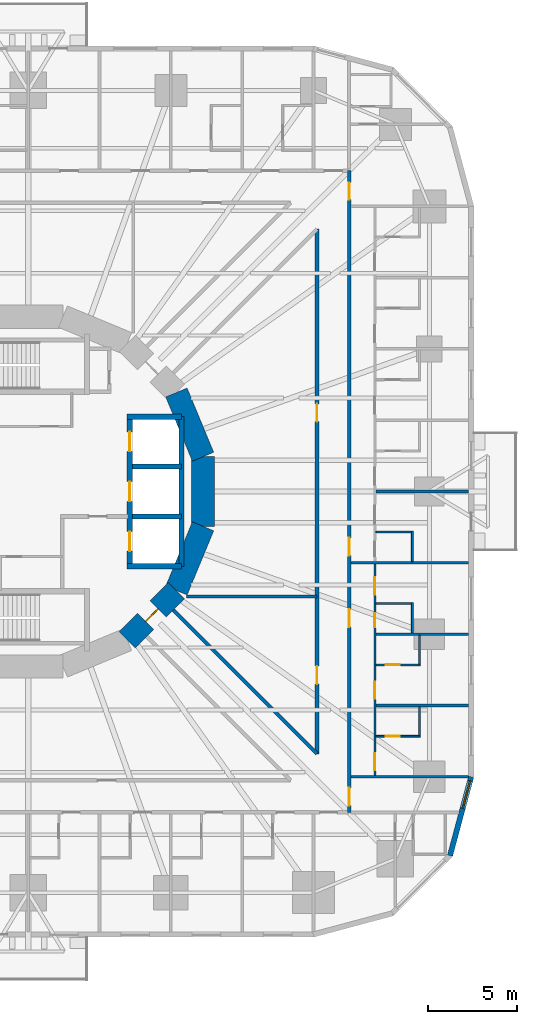
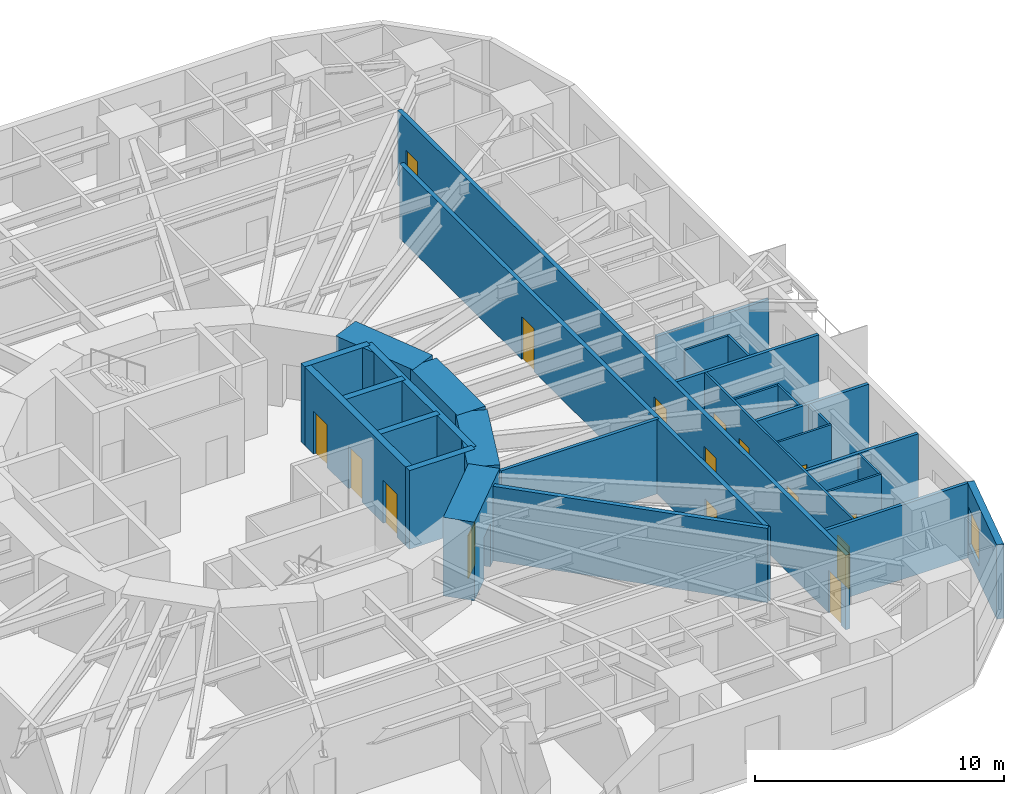
# One storey, part 8 of 14: 29 walls, 16 doors, 1 window, 17 openings.
"""IFC4 building model written with IfcOpenShell, lengths in metres."""

from ifc_helpers import new_model, si_unit, direction, frame, frame_2d, origin, place, context, subcontext, project, spatial, rectangle, extrude, material, layer, layer_set, type_object, element, fill, save


model = new_model("IFC4")

# Units and contexts
model_context = context("Model", 3, precision=1e-05, world=origin(), true_north=direction((0.0, 1.0)))
body_context = subcontext(model_context, "Body", "Model", "MODEL_VIEW")
ifc_project = project(units=[si_unit("LENGTHUNIT", "METRE"), si_unit("AREAUNIT", "SQUARE_METRE"), si_unit("VOLUMEUNIT", "CUBIC_METRE"), si_unit("PLANEANGLEUNIT", "RADIAN"), si_unit("MASSUNIT", "GRAM", prefix="KILO")], contexts=[model_context])

# Site, building, storey
site_placement = place(None, origin())
site = spatial("IfcSite", under=ifc_project, at=site_placement, CompositionType="ELEMENT")
building_placement = place(site_placement, origin())
building = spatial("IfcBuilding", under=site, at=building_placement, Name="Nakasero Lantern House", CompositionType="ELEMENT")
storey_placement = place(building_placement, frame((0.0, 0.0, 46.800048828125)))
storey = spatial("IfcBuildingStorey", under=building, at=storey_placement, Name="L11", CompositionType="ELEMENT", Elevation=46.800048828125)

# Wall, openings, doors
ifc_material_1 = material(Name="Blockwork", Category="masonry")
ifc_layer_1 = layer(ifc_material_1, 0.10009765625)
ifc_layer_set_1 = layer_set([ifc_layer_1], Name="Cluster hall wall 100")
wall_type_1 = type_object("IfcWallType", Name="Cluster hall wall 100", PredefinedType="PARTITIONING", material=ifc_layer_set_1)
wall_1_placement = place(storey_placement, frame((19.449951171875, -15.925048828125, 0.0), z_axis=(0.0, 0.0, 1.0), x_axis=(0.0, 1.0, 0.0)))
wall_1 = element("IfcWall", 1, at=wall_1_placement, inside=storey, type_object=wall_type_1, Name="Cluster hall wall L11 HW0-0", PredefinedType="PARTITIONING", context=body_context, shape_type="SweptSolid", body=[
    extrude(rectangle(XDim=11.85009765625, YDim=0.10009765625, at=frame_2d((5.925048828125, 0.0))), origin(), (0.0, 0.0, 1.0), 3.64990234375),
])
opening_1_placement = place(wall_1_placement, frame((10.125, 0.0, 0.0)))
opening_1 = element("IfcOpeningElement", 2, at=opening_1_placement, cuts=wall_1, Name="Opening D03", PredefinedType="OPENING", context=body_context, shape_type="SweptSolid", body=[
    extrude(rectangle(XDim=1.0, YDim=2.10009765625, at=frame_2d((0.5, 1.050048828125))), frame((0.0, 0.070068359375, 0.0), z_axis=(0.0, -1.0, 0.0), x_axis=(1.0, 0.0, 0.0)), (0.0, 0.0, 1.0), 0.14013671875),
])
opening_2_placement = place(wall_1_placement, frame((8.300048828125, 0.0, 0.0)))
opening_2 = element("IfcOpeningElement", 3, at=opening_2_placement, cuts=wall_1, Name="Opening D02", PredefinedType="OPENING", context=body_context, shape_type="SweptSolid", body=[
    extrude(rectangle(XDim=0.800048828125, YDim=2.10009765625, at=frame_2d((0.39990234375, 1.050048828125))), frame((0.0, 0.070068359375, 0.0), z_axis=(0.0, -1.0, 0.0), x_axis=(1.0, 0.0, 0.0)), (0.0, 0.0, 1.0), 0.14013671875),
])
opening_3_placement = place(wall_1_placement, frame((0.300048828125, 0.0, 0.0)))
opening_3 = element("IfcOpeningElement", 4, at=opening_3_placement, cuts=wall_1, Name="Opening D01", PredefinedType="OPENING", context=body_context, shape_type="SweptSolid", body=[
    extrude(rectangle(XDim=0.949951171875, YDim=2.10009765625, at=frame_2d((0.47509765625, 1.050048828125))), frame((0.0, 0.070068359375, 0.0), z_axis=(0.0, -1.0, 0.0), x_axis=(1.0, 0.0, 0.0)), (0.0, 0.0, 1.0), 0.14013671875),
])
opening_4_placement = place(wall_1_placement, frame((4.300048828125, 0.0, 0.0)))
opening_4 = element("IfcOpeningElement", 5, at=opening_4_placement, cuts=wall_1, Name="Opening D01", PredefinedType="OPENING", context=body_context, shape_type="SweptSolid", body=[
    extrude(rectangle(XDim=0.949951171875, YDim=2.10009765625, at=frame_2d((0.47509765625, 1.050048828125))), frame((0.0, 0.070068359375, 0.0), z_axis=(0.0, -1.0, 0.0), x_axis=(1.0, 0.0, 0.0)), (0.0, 0.0, 1.0), 0.14013671875),
])
ifc_material_2 = material(Name="Timber C24", Category="wood")
door_type_1 = type_object("IfcDoorType", Name="Bedroom door FD30S 950", OperationType="SINGLE_SWING_LEFT", PredefinedType="DOOR", material=ifc_material_2)
door_1_placement = place(opening_3_placement, origin())
door_1 = element("IfcDoor", 6, at=door_1_placement, inside=storey, type_object=door_type_1, Name="Door L11 D0-01", OperationType="SINGLE_SWING_LEFT", OverallHeight=2.10009765625, OverallWidth=0.949951171875, PredefinedType="DOOR", context=body_context, shape_type="SweptSolid", body=[
    extrude(rectangle(XDim=0.949951171875, YDim=2.10009765625, at=frame_2d((0.47509765625, 1.050048828125))), frame((0.0, 0.02490234375, 0.0), z_axis=(0.0, -1.0, 0.0), x_axis=(1.0, 0.0, 0.0)), (0.0, 0.0, 1.0), 0.050048828125),
])
fill(opening_3, door_1)
door_2_placement = place(opening_4_placement, origin())
door_2 = element("IfcDoor", 7, at=door_2_placement, inside=storey, type_object=door_type_1, Name="Door L11 D0-02", OperationType="SINGLE_SWING_LEFT", OverallHeight=2.10009765625, OverallWidth=0.949951171875, PredefinedType="DOOR", context=body_context, shape_type="SweptSolid", body=[
    extrude(rectangle(XDim=0.949951171875, YDim=2.10009765625, at=frame_2d((0.47509765625, 1.050048828125))), frame((0.0, 0.02490234375, 0.0), z_axis=(0.0, -1.0, 0.0), x_axis=(1.0, 0.0, 0.0)), (0.0, 0.0, 1.0), 0.050048828125),
])
fill(opening_4, door_2)
ifc_material_3 = material(Name="Timber C24", Category="wood")
door_type_2 = type_object("IfcDoorType", Name="En-suite door 800", OperationType="SINGLE_SWING_RIGHT", PredefinedType="DOOR", material=ifc_material_3)
door_3_placement = place(opening_2_placement, origin())
door_3 = element("IfcDoor", 8, at=door_3_placement, inside=storey, type_object=door_type_2, Name="Door L11 DSH0-0", OperationType="SINGLE_SWING_RIGHT", OverallHeight=2.10009765625, OverallWidth=0.800048828125, PredefinedType="DOOR", context=body_context, shape_type="SweptSolid", body=[
    extrude(rectangle(XDim=0.800048828125, YDim=2.10009765625, at=frame_2d((0.39990234375, 1.050048828125))), frame((0.0, 0.02490234375, 0.0), z_axis=(0.0, -1.0, 0.0), x_axis=(1.0, 0.0, 0.0)), (0.0, 0.0, 1.0), 0.050048828125),
])
fill(opening_2, door_3)
ifc_material_4 = material(Name="Timber C24", Category="wood")
door_type_3 = type_object("IfcDoorType", Name="Lounge door FD30S 1000", OperationType="SINGLE_SWING_LEFT", PredefinedType="DOOR", material=ifc_material_4)
door_4_placement = place(opening_1_placement, origin())
door_4 = element("IfcDoor", 9, at=door_4_placement, inside=storey, type_object=door_type_3, Name="Door L11 DH0-0", OperationType="SINGLE_SWING_RIGHT", OverallHeight=2.10009765625, OverallWidth=1.0, PredefinedType="DOOR", context=body_context, shape_type="SweptSolid", body=[
    extrude(rectangle(XDim=1.0, YDim=2.10009765625, at=frame_2d((0.5, 1.050048828125))), frame((0.0, 0.02490234375, 0.0), z_axis=(0.0, -1.0, 0.0), x_axis=(1.0, 0.0, 0.0)), (0.0, 0.0, 1.0), 0.050048828125),
])
fill(opening_1, door_4)

ifc_material_5 = material(Name="Concrete C50/60", Category="concrete")
ifc_layer_2 = layer(ifc_material_5, 0.300048828125)
ifc_layer_set_2 = layer_set([ifc_layer_2], Name="Core inner wall 300")
wall_type_2 = type_object("IfcWallType", Name="Core inner wall 300", PredefinedType="SHEAR", material=ifc_layer_set_2)
wall_2_placement = place(storey_placement, frame((5.699951171875, -4.199951171875, 0.0), z_axis=(0.0, 0.0, 1.0), x_axis=(0.0, 1.0, 0.0)))
wall_2 = element("IfcWall", 10, at=wall_2_placement, inside=storey, type_object=wall_type_2, Name="Core inner wall L11 LE", PredefinedType="SHEAR", context=body_context, shape_type="SweptSolid", body=[
    extrude(rectangle(XDim=8.39990234375, YDim=0.300048828125, at=frame_2d((4.199951171875, 0.0))), origin(), (0.0, 0.0, 1.0), 3.849853515625),
])
opening_5_placement = place(wall_2_placement, frame((0.85009765625, 0.0, 0.0)))
opening_5 = element("IfcOpeningElement", 11, at=opening_5_placement, cuts=wall_2, Name="Opening LD", PredefinedType="OPENING", context=body_context, shape_type="SweptSolid", body=[
    extrude(rectangle(XDim=1.10009765625, YDim=2.10009765625, at=frame_2d((0.550048828125, 1.050048828125))), frame((0.0, 0.169921875, 0.0), z_axis=(0.0, -1.0, 0.0), x_axis=(1.0, 0.0, 0.0)), (0.0, 0.0, 1.0), 0.340087890625),
])
opening_6_placement = place(wall_2_placement, frame((3.64990234375, 0.0, 0.0)))
opening_6 = element("IfcOpeningElement", 12, at=opening_6_placement, cuts=wall_2, Name="Opening LD", PredefinedType="OPENING", context=body_context, shape_type="SweptSolid", body=[
    extrude(rectangle(XDim=1.10009765625, YDim=2.10009765625, at=frame_2d((0.550048828125, 1.050048828125))), frame((0.0, 0.169921875, 0.0), z_axis=(0.0, -1.0, 0.0), x_axis=(1.0, 0.0, 0.0)), (0.0, 0.0, 1.0), 0.340087890625),
])
opening_7_placement = place(wall_2_placement, frame((6.449951171875, 0.0, 0.0)))
opening_7 = element("IfcOpeningElement", 13, at=opening_7_placement, cuts=wall_2, Name="Opening LD", PredefinedType="OPENING", context=body_context, shape_type="SweptSolid", body=[
    extrude(rectangle(XDim=1.10009765625, YDim=2.10009765625, at=frame_2d((0.550048828125, 1.050048828125))), frame((0.0, 0.169921875, 0.0), z_axis=(0.0, -1.0, 0.0), x_axis=(1.0, 0.0, 0.0)), (0.0, 0.0, 1.0), 0.340087890625),
])
ifc_material_6 = material(Name="Steel S355", Category="steel")
door_type_4 = type_object("IfcDoorType", Name="Lift landing door E120 1100", OperationType="SLIDING_TO_LEFT", PredefinedType="DOOR", material=ifc_material_6)
door_5_placement = place(opening_5_placement, origin())
door_5 = element("IfcDoor", 14, at=door_5_placement, inside=storey, type_object=door_type_4, Name="Lift landing door LE1", OperationType="SLIDING_TO_LEFT", OverallHeight=2.10009765625, OverallWidth=1.10009765625, PredefinedType="DOOR", context=body_context, shape_type="SweptSolid", body=[
    extrude(rectangle(XDim=1.10009765625, YDim=2.10009765625, at=frame_2d((0.550048828125, 1.050048828125))), frame((0.0, 0.02490234375, 0.0), z_axis=(0.0, -1.0, 0.0), x_axis=(1.0, 0.0, 0.0)), (0.0, 0.0, 1.0), 0.050048828125),
])
fill(opening_5, door_5)
door_6_placement = place(opening_6_placement, origin())
door_6 = element("IfcDoor", 15, at=door_6_placement, inside=storey, type_object=door_type_4, Name="Lift landing door LE2", OperationType="SLIDING_TO_LEFT", OverallHeight=2.10009765625, OverallWidth=1.10009765625, PredefinedType="DOOR", context=body_context, shape_type="SweptSolid", body=[
    extrude(rectangle(XDim=1.10009765625, YDim=2.10009765625, at=frame_2d((0.550048828125, 1.050048828125))), frame((0.0, 0.02490234375, 0.0), z_axis=(0.0, -1.0, 0.0), x_axis=(1.0, 0.0, 0.0)), (0.0, 0.0, 1.0), 0.050048828125),
])
fill(opening_6, door_6)
door_7_placement = place(opening_7_placement, origin())
door_7 = element("IfcDoor", 16, at=door_7_placement, inside=storey, type_object=door_type_4, Name="Lift landing door LE3", OperationType="SLIDING_TO_LEFT", OverallHeight=2.10009765625, OverallWidth=1.10009765625, PredefinedType="DOOR", context=body_context, shape_type="SweptSolid", body=[
    extrude(rectangle(XDim=1.10009765625, YDim=2.10009765625, at=frame_2d((0.550048828125, 1.050048828125))), frame((0.0, 0.02490234375, 0.0), z_axis=(0.0, -1.0, 0.0), x_axis=(1.0, 0.0, 0.0)), (0.0, 0.0, 1.0), 0.050048828125),
])
fill(opening_7, door_7)

# Walls
for number, where, z_axis, x_axis, name in (
    (17, (5.550048828125, 4.199951171875, 0.0), (0.0, 0.0, 1.0), (1.0, 0.0, 0.0), "Core inner wall L11 LEN"),
    (18, (5.550048828125, -4.199951171875, 0.0), (0.0, 0.0, 1.0), (1.0, 0.0, 0.0), "Core inner wall L11 LES"),
):
    element("IfcWall", number, at=place(storey_placement, frame(where, z_axis=z_axis, x_axis=x_axis)), inside=storey, type_object=wall_type_2, Name=name, PredefinedType="SHEAR", context=body_context, shape_type="SweptSolid", body=[
        extrude(rectangle(XDim=3.050048828125, YDim=0.300048828125, at=frame_2d((1.52490234375, 0.0))), origin(), (0.0, 0.0, 1.0), 3.849853515625),
    ])
wall_3_placement = place(storey_placement, frame((8.60009765625, -4.199951171875, 0.0), z_axis=(0.0, 0.0, 1.0), x_axis=(0.0, 1.0, 0.0)))
element("IfcWall", 19, at=wall_3_placement, inside=storey, type_object=wall_type_2, Name="Core inner wall L11 LEB", PredefinedType="SHEAR", context=body_context, shape_type="SweptSolid", body=[
    extrude(rectangle(XDim=8.39990234375, YDim=0.300048828125, at=frame_2d((4.199951171875, 0.0))), origin(), (0.0, 0.0, 1.0), 3.849853515625),
])
for number, where, z_axis, x_axis, name in (
    (20, (5.85009765625, -1.39990234375, 0.0), (0.0, 0.0, 1.0), (1.0, 0.0, 0.0), "Core inner wall L11 LE1"),
    (21, (5.85009765625, 1.39990234375, 0.0), (0.0, 0.0, 1.0), (1.0, 0.0, 0.0), "Core inner wall L11 LE2"),
):
    element("IfcWall", number, at=place(storey_placement, frame(where, z_axis=z_axis, x_axis=x_axis)), inside=storey, type_object=wall_type_2, Name=name, PredefinedType="SHEAR", context=body_context, shape_type="SweptSolid", body=[
        extrude(rectangle(XDim=2.75, YDim=0.300048828125, at=frame_2d((1.375, 0.0))), origin(), (0.0, 0.0, 1.0), 3.849853515625),
    ])
ifc_material_7 = material(Name="Concrete C50/60", Category="concrete")
ifc_layer_3 = layer(ifc_material_7, 1.300048828125)
ifc_layer_set_3 = layer_set([ifc_layer_3], Name="Core wall 1300")
wall_type_3 = type_object("IfcWallType", Name="Core wall 1300", PredefinedType="SHEAR", material=ifc_layer_set_3)
wall_4_placement = place(storey_placement, frame((9.807861328125, 1.950927734375, 0.0), z_axis=(0.0, 0.0, 1.0), x_axis=(-0.382690736062, 0.923876507187, 0.0)))
element("IfcWall", 22, at=wall_4_placement, inside=storey, type_object=wall_type_3, Name="Core wall L11 facet 1", PredefinedType="SHEAR", context=body_context, shape_type="SweptSolid", body=[
    extrude(rectangle(XDim=3.90185546875, YDim=1.300048828125, at=frame_2d((1.950927734375, 0.0))), origin(), (0.0, 0.0, 1.0), 3.849853515625),
])

# Wall, opening, door
wall_5_placement = place(storey_placement, frame((5.5556640625, -8.314697265625, 0.0), z_axis=(0.0, 0.0, 1.0), x_axis=(0.707106781187, 0.707106781187, 0.0)))
wall_5 = element("IfcWall", 23, at=wall_5_placement, inside=storey, type_object=wall_type_3, Name="Core wall L11 facet 14", PredefinedType="SHEAR", context=body_context, shape_type="SweptSolid", body=[
    extrude(rectangle(XDim=3.90185546875, YDim=1.300048828125, at=frame_2d((1.950927734375, 0.0))), origin(), (0.0, 0.0, 1.0), 3.849853515625),
])
opening_8_placement = place(wall_5_placement, frame((1.450927734375, 0.0, 0.0)))
opening_8 = element("IfcOpeningElement", 24, at=opening_8_placement, cuts=wall_5, Name="Opening D05", PredefinedType="OPENING", context=body_context, shape_type="SweptSolid", body=[
    extrude(rectangle(XDim=1.0, YDim=2.10009765625, at=frame_2d((0.5, 1.050048828125))), frame((0.0, 0.669921875, 0.0), z_axis=(0.0, -1.0, 0.0), x_axis=(1.0, 0.0, 0.0)), (0.0, 0.0, 1.0), 1.340087890625),
])
ifc_material_8 = material(Name="Timber C24", Category="wood")
door_type_5 = type_object("IfcDoorType", Name="Core door FD60S 1000", OperationType="SINGLE_SWING_LEFT", PredefinedType="DOOR", material=ifc_material_8)
door_8_placement = place(opening_8_placement, origin())
door_8 = element("IfcDoor", 25, at=door_8_placement, inside=storey, type_object=door_type_5, Name="Door L11 D-CORE14", OperationType="SINGLE_SWING_LEFT", OverallHeight=2.10009765625, OverallWidth=1.0, PredefinedType="DOOR", context=body_context, shape_type="SweptSolid", body=[
    extrude(rectangle(XDim=1.0, YDim=2.10009765625, at=frame_2d((0.5, 1.050048828125))), frame((0.0, 0.02490234375, 0.0), z_axis=(0.0, -1.0, 0.0), x_axis=(1.0, 0.0, 0.0)), (0.0, 0.0, 1.0), 0.050048828125),
])
fill(opening_8, door_8)

# Walls
for number, where, z_axis, x_axis, name in (
    (26, (8.314697265625, -5.5556640625, 0.0), (0.0, 0.0, 1.0), (0.382690736062, 0.923876507187, 0.0), "Core wall L11 facet 15"),
    (27, (9.807861328125, -1.950927734375, 0.0), (0.0, 0.0, 1.0), (0.0, 1.0, 0.0), "Core wall L11 facet 16"),
):
    element("IfcWall", number, at=place(storey_placement, frame(where, z_axis=z_axis, x_axis=x_axis)), inside=storey, type_object=wall_type_3, Name=name, PredefinedType="SHEAR", context=body_context, shape_type="SweptSolid", body=[
        extrude(rectangle(XDim=3.90185546875, YDim=1.300048828125, at=frame_2d((1.950927734375, 0.0))), origin(), (0.0, 0.0, 1.0), 3.849853515625),
    ])

# Wall, openings, doors
ifc_material_9 = material(Name="Blockwork", Category="masonry")
ifc_layer_4 = layer(ifc_material_9, 0.199951171875)
ifc_layer_set_4 = layer_set([ifc_layer_4], Name="Corridor wall 200")
wall_type_4 = type_object("IfcWallType", Name="Corridor wall 200", PredefinedType="PARTITIONING", material=ifc_layer_set_4)
wall_6_placement = place(storey_placement, frame((18.0, -18.0, 0.0), z_axis=(0.0, 0.0, 1.0), x_axis=(0.0, 1.0, 0.0)))
wall_6 = element("IfcWall", 28, at=wall_6_placement, inside=storey, type_object=wall_type_4, Name="Corridor wall L11 CW0", PredefinedType="PARTITIONING", context=body_context, shape_type="SweptSolid", body=[
    extrude(rectangle(XDim=36.0, YDim=0.199951171875, at=frame_2d((18.0, 0.0))), origin(), (0.0, 0.0, 1.0), 3.64990234375),
])
opening_9_placement = place(wall_6_placement, frame((10.39990234375, 0.0, 0.0)))
opening_9 = element("IfcOpeningElement", 29, at=opening_9_placement, cuts=wall_6, Name="Opening D14", PredefinedType="OPENING", context=body_context, shape_type="SweptSolid", body=[
    extrude(rectangle(XDim=1.0, YDim=2.10009765625, at=frame_2d((0.5, 1.050048828125))), frame((0.0, 0.119873046875, 0.0), z_axis=(0.0, -1.0, 0.0), x_axis=(1.0, 0.0, 0.0)), (0.0, 0.0, 1.0), 0.239990234375),
])
opening_10_placement = place(wall_6_placement, frame((14.39990234375, 0.0, 0.0)))
opening_10 = element("IfcOpeningElement", 30, at=opening_10_placement, cuts=wall_6, Name="Opening D14", PredefinedType="OPENING", context=body_context, shape_type="SweptSolid", body=[
    extrude(rectangle(XDim=1.0, YDim=2.10009765625, at=frame_2d((0.5, 1.050048828125))), frame((0.0, 0.119873046875, 0.0), z_axis=(0.0, -1.0, 0.0), x_axis=(1.0, 0.0, 0.0)), (0.0, 0.0, 1.0), 0.239990234375),
])
opening_11_placement = place(wall_6_placement, frame((0.375, 0.0, 0.0)))
opening_11 = element("IfcOpeningElement", 31, at=opening_11_placement, cuts=wall_6, Name="Opening D07", PredefinedType="OPENING", context=body_context, shape_type="SweptSolid", body=[
    extrude(rectangle(XDim=1.0, YDim=2.10009765625, at=frame_2d((0.5, 1.050048828125))), frame((0.0, 0.119873046875, 0.0), z_axis=(0.0, -1.0, 0.0), x_axis=(1.0, 0.0, 0.0)), (0.0, 0.0, 1.0), 0.239990234375),
])
opening_12_placement = place(wall_6_placement, frame((34.375, 0.0, 0.0)))
opening_12 = element("IfcOpeningElement", 32, at=opening_12_placement, cuts=wall_6, Name="Opening D01", PredefinedType="OPENING", context=body_context, shape_type="SweptSolid", body=[
    extrude(rectangle(XDim=0.949951171875, YDim=2.10009765625, at=frame_2d((0.47509765625, 1.050048828125))), frame((0.0, 0.119873046875, 0.0), z_axis=(0.0, -1.0, 0.0), x_axis=(1.0, 0.0, 0.0)), (0.0, 0.0, 1.0), 0.239990234375),
])
door_9_placement = place(opening_12_placement, origin())
door_9 = element("IfcDoor", 33, at=door_9_placement, inside=storey, type_object=door_type_1, Name="Door L11 D0-09", OperationType="SINGLE_SWING_RIGHT", OverallHeight=2.10009765625, OverallWidth=0.949951171875, PredefinedType="DOOR", context=body_context, shape_type="SweptSolid", body=[
    extrude(rectangle(XDim=0.949951171875, YDim=2.10009765625, at=frame_2d((0.47509765625, 1.050048828125))), frame((0.0, 0.02490234375, 0.0), z_axis=(0.0, -1.0, 0.0), x_axis=(1.0, 0.0, 0.0)), (0.0, 0.0, 1.0), 0.050048828125),
])
fill(opening_12, door_9)
ifc_material_10 = material(Name="Timber C24", Category="wood")
door_type_6 = type_object("IfcDoorType", Name="Cluster entrance door FD30S 1000", OperationType="SINGLE_SWING_LEFT", PredefinedType="DOOR", material=ifc_material_10)
door_10_placement = place(opening_9_placement, origin())
door_10 = element("IfcDoor", 34, at=door_10_placement, inside=storey, type_object=door_type_6, Name="Door L11 DF0-0", OperationType="SINGLE_SWING_LEFT", OverallHeight=2.10009765625, OverallWidth=1.0, PredefinedType="DOOR", context=body_context, shape_type="SweptSolid", body=[
    extrude(rectangle(XDim=1.0, YDim=2.10009765625, at=frame_2d((0.5, 1.050048828125))), frame((0.0, 0.02490234375, 0.0), z_axis=(0.0, -1.0, 0.0), x_axis=(1.0, 0.0, 0.0)), (0.0, 0.0, 1.0), 0.050048828125),
])
fill(opening_9, door_10)
door_11_placement = place(opening_10_placement, origin())
door_11 = element("IfcDoor", 35, at=door_11_placement, inside=storey, type_object=door_type_6, Name="Door L11 DF0-1", OperationType="SINGLE_SWING_LEFT", OverallHeight=2.10009765625, OverallWidth=1.0, PredefinedType="DOOR", context=body_context, shape_type="SweptSolid", body=[
    extrude(rectangle(XDim=1.0, YDim=2.10009765625, at=frame_2d((0.5, 1.050048828125))), frame((0.0, 0.02490234375, 0.0), z_axis=(0.0, -1.0, 0.0), x_axis=(1.0, 0.0, 0.0)), (0.0, 0.0, 1.0), 0.050048828125),
])
fill(opening_10, door_11)
ifc_material_11 = material(Name="Timber C24", Category="wood")
door_type_7 = type_object("IfcDoorType", Name="Room door FD30S 1000", OperationType="SINGLE_SWING_LEFT", PredefinedType="DOOR", material=ifc_material_11)
door_12_placement = place(opening_11_placement, origin())
door_12 = element("IfcDoor", 36, at=door_12_placement, inside=storey, type_object=door_type_7, Name="Door L11 D0-00", OperationType="SINGLE_SWING_LEFT", OverallHeight=2.10009765625, OverallWidth=1.0, PredefinedType="DOOR", context=body_context, shape_type="SweptSolid", body=[
    extrude(rectangle(XDim=1.0, YDim=2.10009765625, at=frame_2d((0.5, 1.050048828125))), frame((0.0, 0.02490234375, 0.0), z_axis=(0.0, -1.0, 0.0), x_axis=(1.0, 0.0, 0.0)), (0.0, 0.0, 1.0), 0.050048828125),
])
fill(opening_11, door_12)

wall_7_placement = place(storey_placement, frame((16.199951171875, -14.715087890625, 0.0), z_axis=(0.0, 0.0, 1.0), x_axis=(0.0, 1.0, 0.0)))
wall_7 = element("IfcWall", 37, at=wall_7_placement, inside=storey, type_object=wall_type_4, Name="Corridor wall L11 IW0-0", PredefinedType="PARTITIONING", context=body_context, shape_type="SweptSolid", body=[
    extrude(rectangle(XDim=29.43017578125, YDim=0.199951171875, at=frame_2d((14.715087890625, 0.0))), origin(), (0.0, 0.0, 1.0), 3.64990234375),
])
opening_13_placement = place(wall_7_placement, frame((3.91455078125, 0.0, 0.0)))
opening_13 = element("IfcOpeningElement", 38, at=opening_13_placement, cuts=wall_7, Name="Opening D07", PredefinedType="OPENING", context=body_context, shape_type="SweptSolid", body=[
    extrude(rectangle(XDim=1.0, YDim=2.10009765625, at=frame_2d((0.5, 1.050048828125))), frame((0.0, 0.119873046875, 0.0), z_axis=(0.0, -1.0, 0.0), x_axis=(1.0, 0.0, 0.0)), (0.0, 0.0, 1.0), 0.239990234375),
])
opening_14_placement = place(wall_7_placement, frame((18.629638671875, 0.0, 0.0)))
opening_14 = element("IfcOpeningElement", 39, at=opening_14_placement, cuts=wall_7, Name="Opening D07", PredefinedType="OPENING", context=body_context, shape_type="SweptSolid", body=[
    extrude(rectangle(XDim=1.0, YDim=2.10009765625, at=frame_2d((0.5, 1.050048828125))), frame((0.0, 0.119873046875, 0.0), z_axis=(0.0, -1.0, 0.0), x_axis=(1.0, 0.0, 0.0)), (0.0, 0.0, 1.0), 0.239990234375),
])
door_13_placement = place(opening_13_placement, origin())
door_13 = element("IfcDoor", 40, at=door_13_placement, inside=storey, type_object=door_type_7, Name="Door L11 DI1", OperationType="SINGLE_SWING_LEFT", OverallHeight=2.10009765625, OverallWidth=1.0, PredefinedType="DOOR", context=body_context, shape_type="SweptSolid", body=[
    extrude(rectangle(XDim=1.0, YDim=2.10009765625, at=frame_2d((0.5, 1.050048828125))), frame((0.0, 0.02490234375, 0.0), z_axis=(0.0, -1.0, 0.0), x_axis=(1.0, 0.0, 0.0)), (0.0, 0.0, 1.0), 0.050048828125),
])
fill(opening_13, door_13)
door_14_placement = place(opening_14_placement, origin())
door_14 = element("IfcDoor", 41, at=door_14_placement, inside=storey, type_object=door_type_7, Name="Door L11 DI1S", OperationType="SINGLE_SWING_RIGHT", OverallHeight=2.10009765625, OverallWidth=1.0, PredefinedType="DOOR", context=body_context, shape_type="SweptSolid", body=[
    extrude(rectangle(XDim=1.0, YDim=2.10009765625, at=frame_2d((0.5, 1.050048828125))), frame((0.0, 0.02490234375, 0.0), z_axis=(0.0, -1.0, 0.0), x_axis=(1.0, 0.0, 0.0)), (0.0, 0.0, 1.0), 0.050048828125),
])
fill(opening_14, door_14)

# Walls
wall_8_placement = place(storey_placement, frame((8.13720703125, -6.65234375, 0.0), z_axis=(0.0, 0.0, 1.0), x_axis=(0.707106781187, -0.707106781187, 0.0)))
element("IfcWall", 42, at=wall_8_placement, inside=storey, type_object=wall_type_4, Name="Corridor wall L11 PS14a", PredefinedType="PARTITIONING", context=body_context, shape_type="SweptSolid", body=[
    extrude(rectangle(XDim=11.40234375, YDim=0.199951171875, at=frame_2d((5.701171875, 0.0))), origin(), (0.0, 0.0, 1.0), 3.64990234375),
])
ifc_material_12 = material(Name="Blockwork", Category="masonry")
ifc_layer_5 = layer(ifc_material_12, 0.10009765625)
ifc_layer_set_5 = layer_set([ifc_layer_5], Name="En-suite wall 100")
wall_type_5 = type_object("IfcWallType", Name="En-suite wall 100", PredefinedType="PARTITIONING", material=ifc_layer_set_5)
wall_9_placement = place(storey_placement, frame((19.5, -6.27490234375, 0.0), z_axis=(0.0, 0.0, 1.0), x_axis=(1.0, 0.0, 0.0)))
element("IfcWall", 43, at=wall_9_placement, inside=storey, type_object=wall_type_5, Name="En-suite wall L11 SS0-0", PredefinedType="PARTITIONING", context=body_context, shape_type="SweptSolid", body=[
    extrude(rectangle(XDim=2.10009765625, YDim=0.10009765625, at=frame_2d((1.050048828125, 0.0))), origin(), (0.0, 0.0, 1.0), 3.64990234375),
])
wall_10_placement = place(storey_placement, frame((21.550048828125, -7.925048828125, 0.0), z_axis=(0.0, 0.0, 1.0), x_axis=(0.0, 1.0, 0.0)))
element("IfcWall", 44, at=wall_10_placement, inside=storey, type_object=wall_type_5, Name="En-suite wall L11 SE0-0", PredefinedType="PARTITIONING", context=body_context, shape_type="SweptSolid", body=[
    extrude(rectangle(XDim=1.699951171875, YDim=0.10009765625, at=frame_2d((0.85009765625, 0.0))), origin(), (0.0, 0.0, 1.0), 3.64990234375),
])
wall_11_placement = place(storey_placement, frame((19.5, -2.27490234375, 0.0), z_axis=(0.0, 0.0, 1.0), x_axis=(1.0, 0.0, 0.0)))
element("IfcWall", 45, at=wall_11_placement, inside=storey, type_object=wall_type_5, Name="En-suite wall L11 SS0-1", PredefinedType="PARTITIONING", context=body_context, shape_type="SweptSolid", body=[
    extrude(rectangle(XDim=2.10009765625, YDim=0.10009765625, at=frame_2d((1.050048828125, 0.0))), origin(), (0.0, 0.0, 1.0), 3.64990234375),
])
wall_12_placement = place(storey_placement, frame((21.550048828125, -3.925048828125, 0.0), z_axis=(0.0, 0.0, 1.0), x_axis=(0.0, 1.0, 0.0)))
element("IfcWall", 46, at=wall_12_placement, inside=storey, type_object=wall_type_5, Name="En-suite wall L11 SE0-1", PredefinedType="PARTITIONING", context=body_context, shape_type="SweptSolid", body=[
    extrude(rectangle(XDim=1.699951171875, YDim=0.10009765625, at=frame_2d((0.85009765625, 0.0))), origin(), (0.0, 0.0, 1.0), 3.64990234375),
])

# Wall, opening, door
wall_13_placement = place(storey_placement, frame((19.5, -13.72509765625, 0.0), z_axis=(0.0, 0.0, 1.0), x_axis=(1.0, 0.0, 0.0)))
wall_13 = element("IfcWall", 47, at=wall_13_placement, inside=storey, type_object=wall_type_5, Name="En-suite wall L11 ES0-01", PredefinedType="PARTITIONING", context=body_context, shape_type="SweptSolid", body=[
    extrude(rectangle(XDim=2.5, YDim=0.10009765625, at=frame_2d((1.25, 0.0))), origin(), (0.0, 0.0, 1.0), 3.64990234375),
])
opening_15_placement = place(wall_13_placement, frame((0.550048828125, 0.0, 0.0)))
opening_15 = element("IfcOpeningElement", 48, at=opening_15_placement, cuts=wall_13, Name="Opening D02", PredefinedType="OPENING", context=body_context, shape_type="SweptSolid", body=[
    extrude(rectangle(XDim=0.800048828125, YDim=2.10009765625, at=frame_2d((0.39990234375, 1.050048828125))), frame((0.0, 0.070068359375, 0.0), z_axis=(0.0, -1.0, 0.0), x_axis=(1.0, 0.0, 0.0)), (0.0, 0.0, 1.0), 0.14013671875),
])
door_15_placement = place(opening_15_placement, origin())
door_15 = element("IfcDoor", 49, at=door_15_placement, inside=storey, type_object=door_type_2, Name="Door L11 DE0-01", OperationType="SINGLE_SWING_LEFT", OverallHeight=2.10009765625, OverallWidth=0.800048828125, PredefinedType="DOOR", context=body_context, shape_type="SweptSolid", body=[
    extrude(rectangle(XDim=0.800048828125, YDim=2.10009765625, at=frame_2d((0.39990234375, 1.050048828125))), frame((0.0, 0.02490234375, 0.0), z_axis=(0.0, -1.0, 0.0), x_axis=(1.0, 0.0, 0.0)), (0.0, 0.0, 1.0), 0.050048828125),
])
fill(opening_15, door_15)

# Wall
wall_14_placement = place(storey_placement, frame((21.949951171875, -13.675048828125, 0.0), z_axis=(0.0, 0.0, 1.0), x_axis=(0.0, 1.0, 0.0)))
element("IfcWall", 50, at=wall_14_placement, inside=storey, type_object=wall_type_5, Name="En-suite wall L11 EE0-01", PredefinedType="PARTITIONING", context=body_context, shape_type="SweptSolid", body=[
    extrude(rectangle(XDim=1.60009765625, YDim=0.10009765625, at=frame_2d((0.800048828125, 0.0))), origin(), (0.0, 0.0, 1.0), 3.64990234375),
])

# Wall, opening, door
wall_15_placement = place(storey_placement, frame((19.5, -9.72509765625, 0.0), z_axis=(0.0, 0.0, 1.0), x_axis=(1.0, 0.0, 0.0)))
wall_15 = element("IfcWall", 51, at=wall_15_placement, inside=storey, type_object=wall_type_5, Name="En-suite wall L11 ES0-02", PredefinedType="PARTITIONING", context=body_context, shape_type="SweptSolid", body=[
    extrude(rectangle(XDim=2.5, YDim=0.10009765625, at=frame_2d((1.25, 0.0))), origin(), (0.0, 0.0, 1.0), 3.64990234375),
])
opening_16_placement = place(wall_15_placement, frame((0.550048828125, 0.0, 0.0)))
opening_16 = element("IfcOpeningElement", 52, at=opening_16_placement, cuts=wall_15, Name="Opening D02", PredefinedType="OPENING", context=body_context, shape_type="SweptSolid", body=[
    extrude(rectangle(XDim=0.800048828125, YDim=2.10009765625, at=frame_2d((0.39990234375, 1.050048828125))), frame((0.0, 0.070068359375, 0.0), z_axis=(0.0, -1.0, 0.0), x_axis=(1.0, 0.0, 0.0)), (0.0, 0.0, 1.0), 0.14013671875),
])
door_16_placement = place(opening_16_placement, origin())
door_16 = element("IfcDoor", 53, at=door_16_placement, inside=storey, type_object=door_type_2, Name="Door L11 DE0-02", OperationType="SINGLE_SWING_LEFT", OverallHeight=2.10009765625, OverallWidth=0.800048828125, PredefinedType="DOOR", context=body_context, shape_type="SweptSolid", body=[
    extrude(rectangle(XDim=0.800048828125, YDim=2.10009765625, at=frame_2d((0.39990234375, 1.050048828125))), frame((0.0, 0.02490234375, 0.0), z_axis=(0.0, -1.0, 0.0), x_axis=(1.0, 0.0, 0.0)), (0.0, 0.0, 1.0), 0.050048828125),
])
fill(opening_16, door_16)

# Wall
wall_16_placement = place(storey_placement, frame((21.949951171875, -9.675048828125, 0.0), z_axis=(0.0, 0.0, 1.0), x_axis=(0.0, 1.0, 0.0)))
element("IfcWall", 54, at=wall_16_placement, inside=storey, type_object=wall_type_5, Name="En-suite wall L11 EE0-02", PredefinedType="PARTITIONING", context=body_context, shape_type="SweptSolid", body=[
    extrude(rectangle(XDim=1.60009765625, YDim=0.10009765625, at=frame_2d((0.800048828125, 0.0))), origin(), (0.0, 0.0, 1.0), 3.64990234375),
])

# Wall, opening, window
ifc_material_13 = material(Name="Aluminium rainscreen on blockwork", Category="masonry")
ifc_layer_6 = layer(ifc_material_13, 0.300048828125)
ifc_layer_set_6 = layer_set([ifc_layer_6], Name="Facade wall 300")
wall_type_6 = type_object("IfcWallType", Name="Facade wall 300", PredefinedType="SOLIDWALL", material=ifc_layer_set_6)
wall_17_placement = place(storey_placement, frame((23.664306640625, -20.425048828125, 0.0), z_axis=(0.0, 0.0, 1.0), x_axis=(0.258839972501, 0.965920218567, 0.0)))
wall_17 = element("IfcWall", 55, at=wall_17_placement, inside=storey, type_object=wall_type_6, Name="Facade wall L11 FW3C3", PredefinedType="SOLIDWALL", context=body_context, shape_type="SweptSolid", body=[
    extrude(rectangle(XDim=4.5810546875, YDim=0.300048828125, at=frame_2d((2.29052734375, 0.0))), origin(), (0.0, 0.0, 1.0), 3.64990234375),
])
opening_17_placement = place(wall_17_placement, frame((2.74609375, 0.0, 0.75)))
opening_17 = element("IfcOpeningElement", 56, at=opening_17_placement, cuts=wall_17, Name="Opening W01", PredefinedType="OPENING", context=body_context, shape_type="SweptSolid", body=[
    extrude(rectangle(XDim=1.60009765625, YDim=1.800048828125, at=frame_2d((0.800048828125, 0.89990234375))), frame((0.0, 0.169921875, 0.0), z_axis=(0.0, -1.0, 0.0), x_axis=(1.0, 0.0, 0.0)), (0.0, 0.0, 1.0), 0.340087890625),
])
ifc_material_14 = material(Name="Aluminium 6063-T6 and glass", Category="aluminium")
window_type = type_object("IfcWindowType", Name="Bedroom window 1600x1800", PartitioningType="SINGLE_PANEL", PredefinedType="WINDOW", material=ifc_material_14)
window_placement = place(opening_17_placement, origin())
window = element("IfcWindow", 57, at=window_placement, inside=storey, type_object=window_type, Name="Window L11 WN0-00", OverallHeight=1.800048828125, OverallWidth=1.60009765625, PartitioningType="SINGLE_PANEL", PredefinedType="WINDOW", context=body_context, shape_type="SweptSolid", body=[
    extrude(rectangle(XDim=1.60009765625, YDim=1.800048828125, at=frame_2d((0.800048828125, 0.89990234375))), frame((0.0, 0.030029296875, 0.0), z_axis=(0.0, -1.0, 0.0), x_axis=(1.0, 0.0, 0.0)), (0.0, 0.0, 1.0), 0.06005859375),
])
fill(opening_17, window)

# Walls
ifc_material_15 = material(Name="Blockwork", Category="masonry")
ifc_layer_7 = layer(ifc_material_15, 0.14990234375)
ifc_layer_set_7 = layer_set([ifc_layer_7], Name="Party wall 150")
wall_type_7 = type_object("IfcWallType", Name="Party wall 150", PredefinedType="PARTITIONING", material=ifc_layer_set_7)
wall_18_placement = place(storey_placement, frame((18.10009765625, -16.0, 0.0), z_axis=(0.0, 0.0, 1.0), x_axis=(1.0, 0.0, 0.0)))
element("IfcWall", 58, at=wall_18_placement, inside=storey, type_object=wall_type_7, Name="Party wall L11 PW0-01", PredefinedType="PARTITIONING", context=body_context, shape_type="SweptSolid", body=[
    extrude(rectangle(XDim=6.58935546875, YDim=0.14990234375, at=frame_2d((3.294677734375, 0.0))), origin(), (0.0, 0.0, 1.0), 3.64990234375),
])
for number, where, z_axis, x_axis, name in (
    (59, (19.5, -12.0, 0.0), (0.0, 0.0, 1.0), (1.0, 0.0, 0.0), "Party wall L11 PW0-02"),
    (60, (19.5, -8.0, 0.0), (0.0, 0.0, 1.0), (1.0, 0.0, 0.0), "Party wall L11 PW0-03"),
):
    element("IfcWall", number, at=place(storey_placement, frame(where, z_axis=z_axis, x_axis=x_axis)), inside=storey, type_object=wall_type_7, Name=name, PredefinedType="PARTITIONING", context=body_context, shape_type="SweptSolid", body=[
        extrude(rectangle(XDim=5.199951171875, YDim=0.14990234375, at=frame_2d((2.60009765625, 0.0))), origin(), (0.0, 0.0, 1.0), 3.64990234375),
    ])
wall_19_placement = place(storey_placement, frame((18.10009765625, -4.0, 0.0), z_axis=(0.0, 0.0, 1.0), x_axis=(1.0, 0.0, 0.0)))
element("IfcWall", 61, at=wall_19_placement, inside=storey, type_object=wall_type_7, Name="Party wall L11 PW0-04", PredefinedType="PARTITIONING", context=body_context, shape_type="SweptSolid", body=[
    extrude(rectangle(XDim=6.599853515625, YDim=0.14990234375, at=frame_2d((3.2998046875, 0.0))), origin(), (0.0, 0.0, 1.0), 3.64990234375),
])
wall_20_placement = place(storey_placement, frame((19.5, 0.0, 0.0), z_axis=(0.0, 0.0, 1.0), x_axis=(1.0, 0.0, 0.0)))
element("IfcWall", 62, at=wall_20_placement, inside=storey, type_object=wall_type_7, Name="Party wall L11 PW0-05", PredefinedType="PARTITIONING", context=body_context, shape_type="SweptSolid", body=[
    extrude(rectangle(XDim=5.199951171875, YDim=0.14990234375, at=frame_2d((2.60009765625, 0.0))), origin(), (0.0, 0.0, 1.0), 2.95703125),
])
wall_21_placement = place(storey_placement, frame((8.88134765625, -5.885986328125, 0.0), z_axis=(0.0, 0.0, 1.0), x_axis=(1.0, 0.0, 0.0)))
element("IfcWall", 63, at=wall_21_placement, inside=storey, type_object=wall_type_7, Name="Party wall L11 IS1", PredefinedType="PARTITIONING", context=body_context, shape_type="SweptSolid", body=[
    extrude(rectangle(XDim=7.318603515625, YDim=0.14990234375, at=frame_2d((3.6591796875, 0.0))), origin(), (0.0, 0.0, 1.0), 3.64990234375),
])

save(model, "model.ifc")
